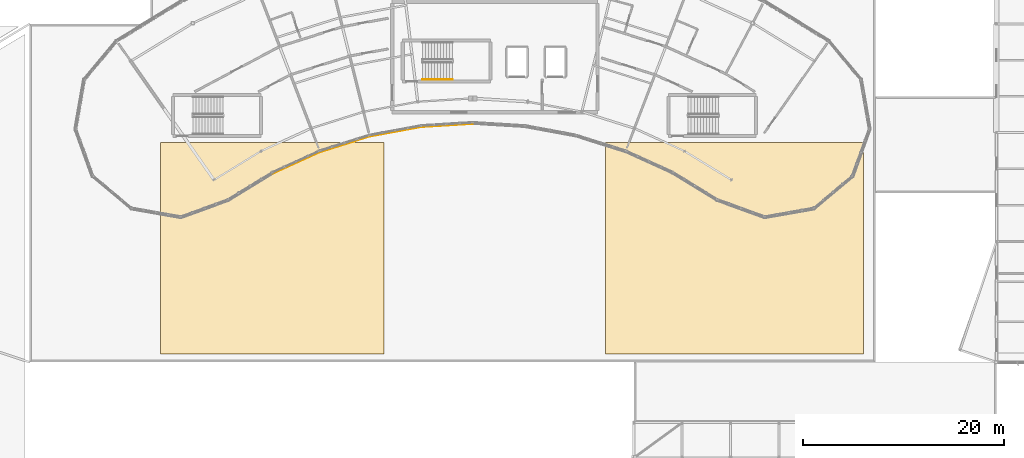
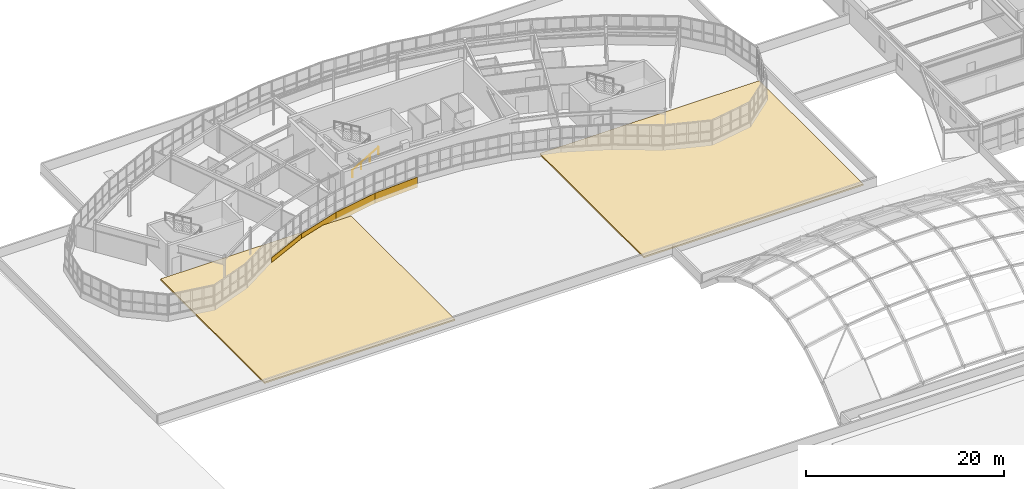
# One storey, part 120 of 128: 6 coverings, 1 railing.
"""IFC4 building model written with IfcOpenShell, lengths in metres."""

from ifc_helpers import new_model, si_unit, direction, frame, origin, origin_2d, place, context, subcontext, project, spatial, rectangle, circle, extrude, material, layer, layer_set, type_object, element, save


model = new_model("IFC4")

# Units and contexts
model_context = context("Model", 3, precision=1e-05, world=origin(), true_north=direction((0.0, 1.0)))
body_context = subcontext(model_context, "Body", "Model", "MODEL_VIEW")
ifc_project = project(units=[si_unit("LENGTHUNIT", "METRE"), si_unit("AREAUNIT", "SQUARE_METRE"), si_unit("VOLUMEUNIT", "CUBIC_METRE"), si_unit("PLANEANGLEUNIT", "RADIAN"), si_unit("MASSUNIT", "GRAM", prefix="KILO")], contexts=[model_context])

# Site, building, storey
site_placement = place(None, origin())
site = spatial("IfcSite", under=ifc_project, at=site_placement, CompositionType="ELEMENT")
building_placement = place(site_placement, origin())
building = spatial("IfcBuilding", under=site, at=building_placement, Name="Tarnwether General Hospital", CompositionType="ELEMENT")
storey_placement = place(building_placement, frame((0.0, 0.0, 14.39990234375)))
storey = spatial("IfcBuildingStorey", under=building, at=storey_placement, Name="L03", CompositionType="ELEMENT", Elevation=14.39990234375)

# Coverings
ifc_material_1 = material(Name="Streamlined white enamelled aluminium", Category="aluminium")
ifc_layer_1 = layer(ifc_material_1, 0.044921875)
ifc_layer_set_1 = layer_set([ifc_layer_1], Name="Streamlined white enamelled aluminium")
covering_type_1 = type_object("IfcCoveringType", Name="CV-CLD-WHT", PredefinedType="CLADDING", material=ifc_layer_set_1)
covering_1_placement = place(storey_placement, frame((74.50390625, 101.389892578125, -0.1748046875), z_axis=(0.0, 0.0, 1.0), x_axis=(-0.909954032975, -0.414709124413, 0.0)))
element("IfcCovering", 1, at=covering_1_placement, inside=storey, type_object=covering_type_1, Name="Streamlined White Horizontal Band NW L03 07", PredefinedType="CLADDING", context=body_context, shape_type="SweptSolid", body=[
    extrude(rectangle(XDim=5.177001953125, YDim=0.044921875, at=origin_2d()), origin(), (0.0, 0.0, 1.0), 1.25),
])
covering_2_placement = place(storey_placement, frame((79.31396484375, 103.237060546875, -0.1748046875), z_axis=(0.0, 0.0, 1.0), x_axis=(-0.953711702297, -0.300722444959, 0.0)))
element("IfcCovering", 2, at=covering_2_placement, inside=storey, type_object=covering_type_1, Name="Streamlined White Horizontal Band NW L03 08", PredefinedType="CLADDING", context=body_context, shape_type="SweptSolid", body=[
    extrude(rectangle(XDim=5.177978515625, YDim=0.044921875, at=origin_2d()), origin(), (0.0, 0.0, 1.0), 1.25),
])
for number, where, z_axis, x_axis, name in (
    (3, (84.31201171875, 104.48291015625, -0.1748046875), (0.0, 0.0, 1.0), (-0.983267627608, -0.182166880906, 0.0), "Streamlined White Horizontal Band NW L03 09"),
    (4, (89.425048828125, 105.110107421875, -0.1748046875), (0.0, 0.0, 1.0), (-0.998134798422, -0.061048539535, 0.0), "Streamlined White Horizontal Band NW L03 10"),
):
    element("IfcCovering", number, at=place(storey_placement, frame(where, z_axis=z_axis, x_axis=x_axis)), inside=storey, type_object=covering_type_1, Name=name, PredefinedType="CLADDING", context=body_context, shape_type="SweptSolid", body=[
        extrude(rectangle(XDim=5.177001953125, YDim=0.044921875, at=origin_2d()), origin(), (0.0, 0.0, 1.0), 1.25),
    ])
ifc_material_2 = material(Name="Planted green roof media")
ifc_layer_2 = layer(ifc_material_2, 0.179931640625)
ifc_layer_set_2 = layer_set([ifc_layer_2], Name="Planted green roof media")
covering_type_2 = type_object("IfcCoveringType", Name="CV-RFG-GRN", PredefinedType="ROOFING", material=ifc_layer_set_2)
covering_3_placement = place(storey_placement, frame((72.10009765625, 92.89990234375, 0.330078125), z_axis=(0.0, 0.0, 1.0), x_axis=(1.0, 0.0, 0.0)))
element("IfcCovering", 5, at=covering_3_placement, inside=storey, type_object=covering_type_2, Name="Stepped Podium Green Roof Garden CV-POD-N1", PredefinedType="ROOFING", context=body_context, shape_type="SweptSolid", body=[
    extrude(rectangle(XDim=22.199951171875, YDim=21.0, at=origin_2d()), origin(), (0.0, 0.0, 1.0), 0.179931640625),
])
covering_4_placement = place(storey_placement, frame((118.0, 92.89990234375, 0.330078125), z_axis=(0.0, 0.0, 1.0), x_axis=(1.0, 0.0, 0.0)))
element("IfcCovering", 6, at=covering_4_placement, inside=storey, type_object=covering_type_2, Name="Stepped Podium Green Roof Garden CV-POD-N2", PredefinedType="ROOFING", context=body_context, shape_type="SweptSolid", body=[
    extrude(rectangle(XDim=25.60009765625, YDim=21.0, at=origin_2d()), origin(), (0.0, 0.0, 1.0), 0.179931640625),
])

# Railing
ifc_material_3 = material(Name="Anodised aluminium", Category="aluminium")
railing_type = type_object("IfcRailingType", Name="RL-HND-INT", PredefinedType="HANDRAIL", material=ifc_material_3)
railing_placement = place(storey_placement, frame((87.0, 109.64990234375, 0.177490234375)))
element("IfcRailing", 7, at=railing_placement, inside=storey, type_object=railing_type, Name="L03 ST-01 stair handrail 1", PredefinedType="HANDRAIL", context=body_context, shape_type="SweptSolid", body=[
    extrude(circle(Radius=0.02392578125, at=origin_2d()), frame((0.0, 0.0, 0.8759765625), z_axis=(0.86092931783, 0.0, 0.508724591208), x_axis=(0.0, 1.0, 0.0)), (0.0, 0.0, 1.0), 3.484619140625),
    extrude(circle(Radius=0.02099609375, at=origin_2d()), origin(), (0.0, 0.0, 1.0), 0.851806640625),
    extrude(circle(Radius=0.02099609375, at=origin_2d()), frame((1.0, 0.0, 0.5908203125)), (0.0, 0.0, 1.0), 0.851806640625),
    extrude(circle(Radius=0.02099609375, at=origin_2d()), frame((2.0, 0.0, 1.181884765625)), (0.0, 0.0, 1.0), 0.851806640625),
    extrude(circle(Radius=0.02099609375, at=origin_2d()), frame((3.0, 0.0, 1.772705078125)), (0.0, 0.0, 1.0), 0.851806640625),
])

save(model, "model.ifc")
